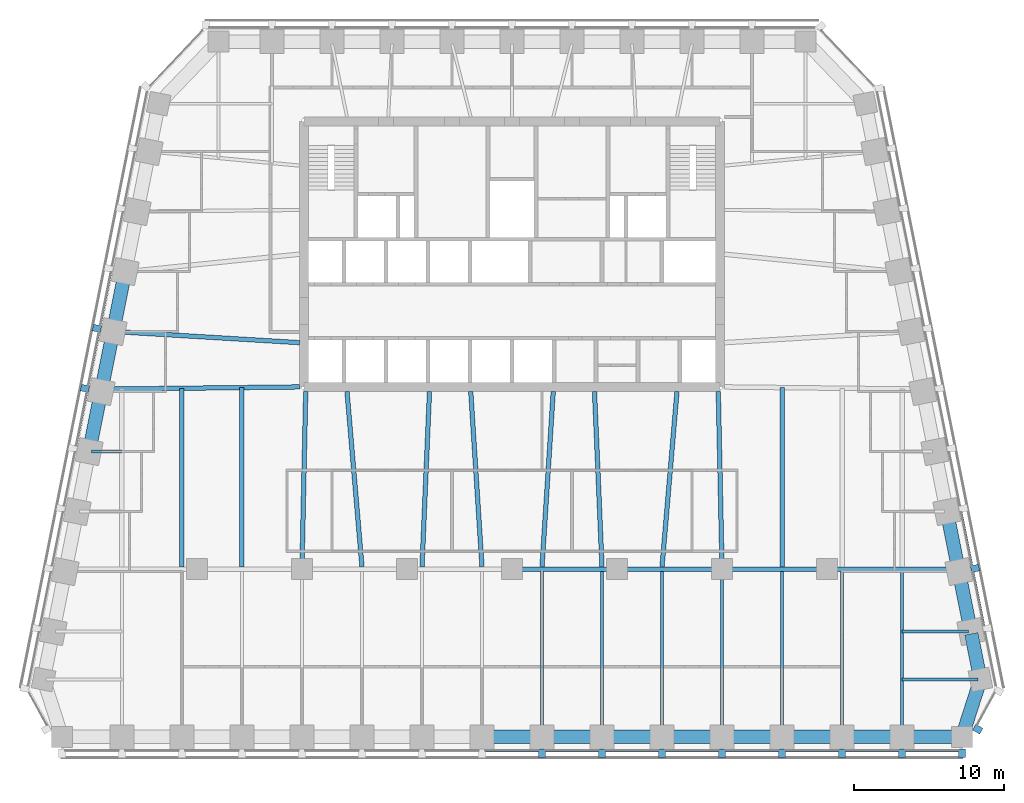
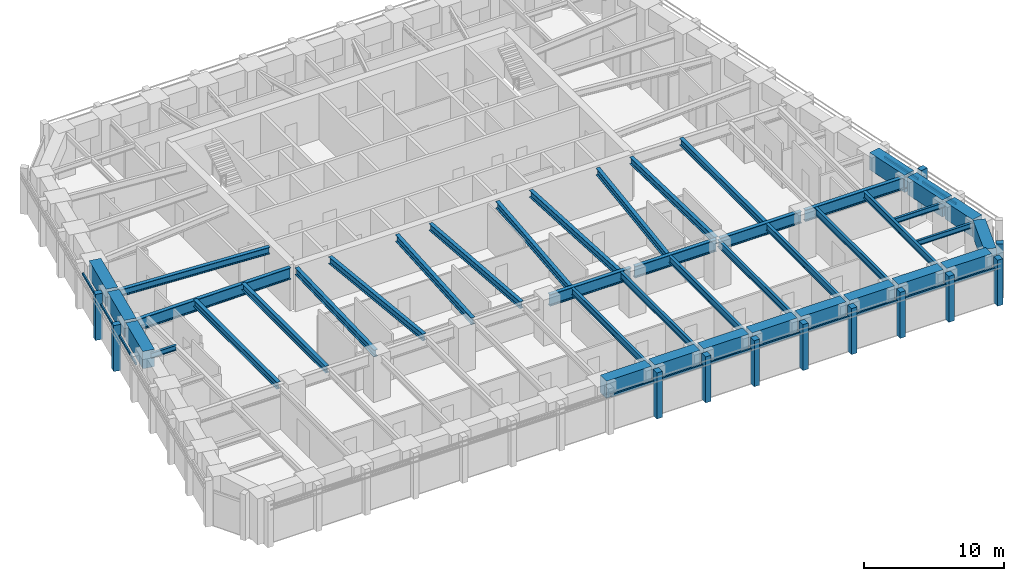
# One storey, part 2 of 11: 42 beams, 25 members, 4 elements without a shape of their own.
"""IFC4 building model written with IfcOpenShell, lengths in metres."""

from ifc_helpers import new_model, si_unit, direction, frame, origin, origin_2d, place, context, subcontext, project, spatial, rectangle, i_section, extrude, material, material_profile, profile_set, type_object, element, aggregate, save


model = new_model("IFC4")

# Units and contexts
model_context = context("Model", 3, precision=1e-05, world=origin(), true_north=direction((0.0, 1.0)))
body_context = subcontext(model_context, "Body", "Model", "MODEL_VIEW")
ifc_project = project(units=[si_unit("LENGTHUNIT", "METRE"), si_unit("AREAUNIT", "SQUARE_METRE"), si_unit("VOLUMEUNIT", "CUBIC_METRE"), si_unit("PLANEANGLEUNIT", "RADIAN"), si_unit("MASSUNIT", "GRAM", prefix="KILO")], contexts=[model_context])

# Site, building, storey
site_placement = place(None, origin())
site = spatial("IfcSite", under=ifc_project, at=site_placement, CompositionType="ELEMENT")
building_placement = place(site_placement, origin())
building = spatial("IfcBuilding", under=site, at=building_placement, Name="Isbrekke Arena Tower", CompositionType="ELEMENT")
storey_placement = place(building_placement, frame((0.0, 0.0, 206.0)))
storey = spatial("IfcBuildingStorey", under=building, at=storey_placement, Name="L47", CompositionType="ELEMENT", Elevation=206.0)

# Beams
ifc_material_1 = material(Name="Steel S355", Category="steel")
ifc_material_profile_1 = material_profile(ifc_material_1, i_section(OverallWidth=0.219970703125, OverallDepth=0.60009765625, WebThickness=0.011962890625, FlangeThickness=0.01904296875, FilletRadius=0.02392578125, at=origin_2d()), Name="IPE 600")
ifc_profile_set_1 = profile_set([ifc_material_profile_1], Name="Steel S355")
beam_type_1 = type_object("IfcBeamType", Name="B1 IPE 600", PredefinedType="BEAM", material=ifc_profile_set_1)
for number, where, z_axis, x_axis, name in (
    (1, (2.0, -17.02490234375, 3.550048828125), (0.0, 1.0, 0.0), (-1.0, 0.0, 0.0), "B1 beam S-S09 L47"),
    (2, (6.0, -17.02490234375, 3.550048828125), (0.0, 1.0, 0.0), (-1.0, 0.0, 0.0), "B1 beam S-S10 L47"),
    (3, (10.0, -17.02490234375, 3.550048828125), (0.0, 1.0, 0.0), (-1.0, 0.0, 0.0), "B1 beam S-S11 L47"),
):
    element("IfcBeam", number, at=place(storey_placement, frame(where, z_axis=z_axis, x_axis=x_axis)), inside=storey, type_object=beam_type_1, Name=name, PredefinedType="BEAM", context=body_context, shape_type="SweptSolid", body=[
        extrude(i_section(OverallWidth=0.219970703125, OverallDepth=0.60009765625, WebThickness=0.011962890625, FlangeThickness=0.01904296875, FilletRadius=0.02392578125, at=origin_2d()), origin(), (0.0, 0.0, 1.0), 10.8740234375),
    ])
beam_1_placement = place(storey_placement, frame((14.0, -17.02490234375, 3.550048828125), z_axis=(0.0, 1.0, 0.0), x_axis=(-1.0, 0.0, 0.0)))
element("IfcBeam", 4, at=beam_1_placement, inside=storey, type_object=beam_type_1, Name="B1 beam S-S12 L47", PredefinedType="BEAM", context=body_context, shape_type="SweptSolid", body=[
    extrude(i_section(OverallWidth=0.219970703125, OverallDepth=0.60009765625, WebThickness=0.011962890625, FlangeThickness=0.01904296875, FilletRadius=0.02392578125, at=origin_2d()), origin(), (0.0, 0.0, 1.0), 10.875),
])
for number, where, z_axis, x_axis, name in (
    (5, (18.0, -17.02490234375, 3.550048828125), (0.0, 1.0, 0.0), (-1.0, 0.0, 0.0), "B1 beam S-S13 L47"),
    (6, (22.0, -17.02490234375, 3.550048828125), (0.0, 1.0, 0.0), (-1.0, 0.0, 0.0), "B1 beam S-S14 L47"),
    (7, (26.0, -17.02490234375, 3.550048828125), (0.0, 1.0, 0.0), (-1.0, 0.0, 0.0), "B1 beam S-S15 L47"),
):
    element("IfcBeam", number, at=place(storey_placement, frame(where, z_axis=z_axis, x_axis=x_axis)), inside=storey, type_object=beam_type_1, Name=name, PredefinedType="BEAM", context=body_context, shape_type="SweptSolid", body=[
        extrude(i_section(OverallWidth=0.219970703125, OverallDepth=0.60009765625, WebThickness=0.011962890625, FlangeThickness=0.01904296875, FilletRadius=0.02392578125, at=origin_2d()), origin(), (0.0, 0.0, 1.0), 10.8740234375),
    ])
ifc_material_2 = material(Name="Steel S355", Category="steel")
ifc_material_profile_2 = material_profile(ifc_material_2, i_section(OverallWidth=0.18994140625, OverallDepth=0.449951171875, WebThickness=0.009521484375, FlangeThickness=0.0146484375, FilletRadius=0.02099609375, at=origin_2d()), Name="IPE 450")
ifc_profile_set_2 = profile_set([ifc_material_profile_2], Name="Steel S355")
beam_type_2 = type_object("IfcBeamType", Name="B2 IPE 450", PredefinedType="BEAM", material=ifc_profile_set_2)
beam_2_placement = place(storey_placement, frame((31.079345703125, -13.352783203125, 3.625), z_axis=(-1.0, 0.0, 0.0), x_axis=(0.0, -1.0, 0.0)))
element("IfcBeam", 8, at=beam_2_placement, inside=storey, type_object=beam_type_2, Name="B2 beam E-E01 L47", PredefinedType="BEAM", context=body_context, shape_type="SweptSolid", body=[
    extrude(i_section(OverallWidth=0.18994140625, OverallDepth=0.449951171875, WebThickness=0.009521484375, FlangeThickness=0.0146484375, FilletRadius=0.02099609375, at=origin_2d()), origin(), (0.0, 0.0, 1.0), 5.079345703125),
])
beam_3_placement = place(storey_placement, frame((30.44091796875, -10.161865234375, 3.625), z_axis=(-1.0, 0.0, 0.0), x_axis=(0.0, -1.0, 0.0)))
element("IfcBeam", 9, at=beam_3_placement, inside=storey, type_object=beam_type_2, Name="B2 beam E-E02 L47", PredefinedType="BEAM", context=body_context, shape_type="SweptSolid", body=[
    extrude(i_section(OverallWidth=0.18994140625, OverallDepth=0.449951171875, WebThickness=0.009521484375, FlangeThickness=0.0146484375, FilletRadius=0.02099609375, at=origin_2d()), origin(), (0.0, 0.0, 1.0), 4.44091796875),
])
beam_4_placement = place(storey_placement, frame((-28.041015625, 1.838134765625, 3.625), z_axis=(1.0, 0.0, 0.0), x_axis=(0.0, 1.0, 0.0)))
element("IfcBeam", 10, at=beam_4_placement, inside=storey, type_object=beam_type_2, Name="B2 beam E-W07 L47", PredefinedType="BEAM", context=body_context, shape_type="SweptSolid", body=[
    extrude(i_section(OverallWidth=0.18994140625, OverallDepth=0.449951171875, WebThickness=0.009521484375, FlangeThickness=0.0146484375, FilletRadius=0.02099609375, at=origin_2d()), origin(), (0.0, 0.0, 1.0), 2.041015625),
])
ifc_material_3 = material(Name="Steel S355", Category="steel")
ifc_material_profile_3 = material_profile(ifc_material_3, i_section(OverallWidth=0.300048828125, OverallDepth=0.60009765625, WebThickness=0.015380859375, FlangeThickness=0.030029296875, FilletRadius=0.027099609375, at=origin_2d()), Name="HEB 600")
ifc_profile_set_3 = profile_set([ifc_material_profile_3], Name="Steel S355")
beam_type_3 = type_object("IfcBeamType", Name="B7 HEB 600", PredefinedType="BEAM", material=ifc_profile_set_3)
beam_5_placement = place(storey_placement, frame((-22.0, -5.84912109375, 3.550048828125), z_axis=(0.0, 1.0, 0.0), x_axis=(-1.0, 0.0, 0.0)))
element("IfcBeam", 11, at=beam_5_placement, inside=storey, type_object=beam_type_3, Name="B7 beam C-M02 L47", PredefinedType="BEAM", context=body_context, shape_type="SweptSolid", body=[
    extrude(i_section(OverallWidth=0.300048828125, OverallDepth=0.60009765625, WebThickness=0.015380859375, FlangeThickness=0.030029296875, FilletRadius=0.027099609375, at=origin_2d()), origin(), (0.0, 0.0, 1.0), 11.91015625),
])
beam_6_placement = place(storey_placement, frame((-18.0, -5.84912109375, 3.550048828125), z_axis=(0.0, 1.0, 0.0), x_axis=(-1.0, 0.0, 0.0)))
element("IfcBeam", 12, at=beam_6_placement, inside=storey, type_object=beam_type_3, Name="B7 beam C-M03 L47", PredefinedType="BEAM", context=body_context, shape_type="SweptSolid", body=[
    extrude(i_section(OverallWidth=0.300048828125, OverallDepth=0.60009765625, WebThickness=0.015380859375, FlangeThickness=0.030029296875, FilletRadius=0.027099609375, at=origin_2d()), origin(), (0.0, 0.0, 1.0), 11.95556640625),
])
beam_7_placement = place(storey_placement, frame((-14.0, -5.8466796875, 3.550048828125), z_axis=(0.021368528218, 0.999771666933, 0.0), x_axis=(-0.999771666933, 0.021368528218, 0.0)))
element("IfcBeam", 13, at=beam_7_placement, inside=storey, type_object=beam_type_3, Name="B7 beam C-M04 L47", PredefinedType="BEAM", context=body_context, shape_type="SweptSolid", body=[
    extrude(i_section(OverallWidth=0.300048828125, OverallDepth=0.60009765625, WebThickness=0.015380859375, FlangeThickness=0.030029296875, FilletRadius=0.027099609375, at=origin_2d()), origin(), (0.0, 0.0, 1.0), 11.699462890625),
])
beam_8_placement = place(storey_placement, frame((-10.0009765625, -5.836181640625, 3.550048828125), z_axis=(-0.085176202372, 0.996365903948, 0.0), x_axis=(-0.996365903948, -0.085176202372, 0.0)))
element("IfcBeam", 14, at=beam_8_placement, inside=storey, type_object=beam_type_3, Name="B7 beam C-M05 L47", PredefinedType="BEAM", context=body_context, shape_type="SweptSolid", body=[
    extrude(i_section(OverallWidth=0.300048828125, OverallDepth=0.60009765625, WebThickness=0.015380859375, FlangeThickness=0.030029296875, FilletRadius=0.027099609375, at=origin_2d()), origin(), (0.0, 0.0, 1.0), 11.72900390625),
])
beam_9_placement = place(storey_placement, frame((-5.999755859375, -5.842529296875, 3.550048828125), z_axis=(0.042702124015, 0.999087848292, 0.0), x_axis=(-0.999087848292, 0.042702124015, 0.0)))
element("IfcBeam", 15, at=beam_9_placement, inside=storey, type_object=beam_type_3, Name="B7 beam C-M06 L47", PredefinedType="BEAM", context=body_context, shape_type="SweptSolid", body=[
    extrude(i_section(OverallWidth=0.300048828125, OverallDepth=0.60009765625, WebThickness=0.015380859375, FlangeThickness=0.030029296875, FilletRadius=0.027099609375, at=origin_2d()), origin(), (0.0, 0.0, 1.0), 11.703369140625),
])
for number, where, z_axis, x_axis, name in (
    (16, (-2.000732421875, -5.83935546875, 3.550048828125), (-0.063966475255, 0.997952047968, 0.0), (-0.997952047968, -0.063966475255, 0.0), "B7 beam C-M07 L47"),
    (17, (2.000732421875, -5.83935546875, 3.550048828125), (0.063966475255, 0.997952047968, 0.0), (-0.997952047968, 0.063966475255, 0.0), "B7 beam C-M08 L47"),
):
    element("IfcBeam", number, at=place(storey_placement, frame(where, z_axis=z_axis, x_axis=x_axis)), inside=storey, type_object=beam_type_3, Name=name, PredefinedType="BEAM", context=body_context, shape_type="SweptSolid", body=[
        extrude(i_section(OverallWidth=0.300048828125, OverallDepth=0.60009765625, WebThickness=0.015380859375, FlangeThickness=0.030029296875, FilletRadius=0.027099609375, at=origin_2d()), origin(), (0.0, 0.0, 1.0), 11.71337890625),
    ])
beam_10_placement = place(storey_placement, frame((5.999755859375, -5.842529296875, 3.550048828125), z_axis=(-0.042702124015, 0.999087848292, 0.0), x_axis=(-0.999087848292, -0.042702124015, 0.0)))
element("IfcBeam", 18, at=beam_10_placement, inside=storey, type_object=beam_type_3, Name="B7 beam C-M09 L47", PredefinedType="BEAM", context=body_context, shape_type="SweptSolid", body=[
    extrude(i_section(OverallWidth=0.300048828125, OverallDepth=0.60009765625, WebThickness=0.015380859375, FlangeThickness=0.030029296875, FilletRadius=0.027099609375, at=origin_2d()), origin(), (0.0, 0.0, 1.0), 11.703369140625),
])
beam_11_placement = place(storey_placement, frame((10.0009765625, -5.836181640625, 3.550048828125), z_axis=(0.085176202372, 0.996365903948, 0.0), x_axis=(-0.996365903948, 0.085176202372, 0.0)))
element("IfcBeam", 19, at=beam_11_placement, inside=storey, type_object=beam_type_3, Name="B7 beam C-M10 L47", PredefinedType="BEAM", context=body_context, shape_type="SweptSolid", body=[
    extrude(i_section(OverallWidth=0.300048828125, OverallDepth=0.60009765625, WebThickness=0.015380859375, FlangeThickness=0.030029296875, FilletRadius=0.027099609375, at=origin_2d()), origin(), (0.0, 0.0, 1.0), 11.72900390625),
])
beam_12_placement = place(storey_placement, frame((14.0, -5.8466796875, 3.550048828125), z_axis=(-0.021368528218, 0.999771666933, 0.0), x_axis=(-0.999771666933, -0.021368528218, 0.0)))
element("IfcBeam", 20, at=beam_12_placement, inside=storey, type_object=beam_type_3, Name="B7 beam C-M11 L47", PredefinedType="BEAM", context=body_context, shape_type="SweptSolid", body=[
    extrude(i_section(OverallWidth=0.300048828125, OverallDepth=0.60009765625, WebThickness=0.015380859375, FlangeThickness=0.030029296875, FilletRadius=0.027099609375, at=origin_2d()), origin(), (0.0, 0.0, 1.0), 11.699462890625),
])
beam_13_placement = place(storey_placement, frame((18.0, -5.84912109375, 3.550048828125), z_axis=(0.0, 1.0, 0.0), x_axis=(-1.0, 0.0, 0.0)))
element("IfcBeam", 21, at=beam_13_placement, inside=storey, type_object=beam_type_3, Name="B7 beam C-M12 L47", PredefinedType="BEAM", context=body_context, shape_type="SweptSolid", body=[
    extrude(i_section(OverallWidth=0.300048828125, OverallDepth=0.60009765625, WebThickness=0.015380859375, FlangeThickness=0.030029296875, FilletRadius=0.027099609375, at=origin_2d()), origin(), (0.0, 0.0, 1.0), 11.95556640625),
])
beam_14_placement = place(storey_placement, frame((-26.43212890625, 9.837646484375, 3.550048828125), z_axis=(0.998201854902, -0.059942112659, 0.0), x_axis=(0.059942112659, 0.998201854902, 0.0)))
element("IfcBeam", 22, at=beam_14_placement, inside=storey, type_object=beam_type_3, Name="B7 beam E-W05 L47", PredefinedType="BEAM", context=body_context, shape_type="SweptSolid", body=[
    extrude(i_section(OverallWidth=0.300048828125, OverallDepth=0.60009765625, WebThickness=0.015380859375, FlangeThickness=0.030029296875, FilletRadius=0.027099609375, at=origin_2d()), origin(), (0.0, 0.0, 1.0), 12.304443359375),
])

# Curtain wall, members
ifc_material_4 = material(Name="Glazed aluminium curtain wall", Category="aluminium")
curtain_wall_type = type_object("IfcCurtainWallType", Name="CWH TOWER CURTAIN WALL HIGH ZONE", PredefinedType="USERDEFINED", material=ifc_material_4)
curtain_wall_1_placement = place(storey_placement, origin())
curtain_wall_1 = element("IfcCurtainWall", 23, at=curtain_wall_1_placement, inside=storey, type_object=curtain_wall_type, Name="CWH curtain wall L47-S", ObjectType="TOWER CURTAIN WALL HIGH ZONE", PredefinedType="USERDEFINED")
ifc_material_5 = material(Name="Aluminium mullion, pale brick slip cladding", Category="masonry")
ifc_material_profile_4 = material_profile(ifc_material_5, rectangle(XDim=0.449951171875, YDim=0.550048828125, at=origin_2d()), Name="PIER 450X550")
ifc_profile_set_4 = profile_set([ifc_material_profile_4], Name="Aluminium mullion, pale brick slip cladding")
member_type_1 = type_object("IfcMemberType", Name="CWH-M PIER MULLION 450 x 550", PredefinedType="MULLION", material=ifc_profile_set_4)
member_1_placement = place(storey_placement, frame((2.0, -18.27490234375, 0.0), z_axis=(0.0, 0.0, 1.0), x_axis=(1.0, 0.0, 0.0)))
member_1 = element("IfcMember", 24, at=member_1_placement, type_object=member_type_1, Name="CWH-M mullion 9", PredefinedType="MULLION", context=body_context, shape_type="SweptSolid", body=[
    extrude(rectangle(XDim=0.449951171875, YDim=0.550048828125, at=origin_2d()), origin(), (0.0, 0.0, 1.0), 4.0),
])
member_2_placement = place(storey_placement, frame((6.0, -18.27490234375, 0.0), z_axis=(0.0, 0.0, 1.0), x_axis=(1.0, 0.0, 0.0)))
member_2 = element("IfcMember", 25, at=member_2_placement, type_object=member_type_1, Name="CWH-M mullion 10", PredefinedType="MULLION", context=body_context, shape_type="SweptSolid", body=[
    extrude(rectangle(XDim=0.449951171875, YDim=0.550048828125, at=origin_2d()), origin(), (0.0, 0.0, 1.0), 4.0),
])
member_3_placement = place(storey_placement, frame((10.0, -18.27490234375, 0.0), z_axis=(0.0, 0.0, 1.0), x_axis=(1.0, 0.0, 0.0)))
member_3 = element("IfcMember", 26, at=member_3_placement, type_object=member_type_1, Name="CWH-M mullion 11", PredefinedType="MULLION", context=body_context, shape_type="SweptSolid", body=[
    extrude(rectangle(XDim=0.449951171875, YDim=0.550048828125, at=origin_2d()), origin(), (0.0, 0.0, 1.0), 4.0),
])
member_4_placement = place(storey_placement, frame((14.0, -18.27490234375, 0.0), z_axis=(0.0, 0.0, 1.0), x_axis=(1.0, 0.0, 0.0)))
member_4 = element("IfcMember", 27, at=member_4_placement, type_object=member_type_1, Name="CWH-M mullion 12", PredefinedType="MULLION", context=body_context, shape_type="SweptSolid", body=[
    extrude(rectangle(XDim=0.449951171875, YDim=0.550048828125, at=origin_2d()), origin(), (0.0, 0.0, 1.0), 4.0),
])
member_5_placement = place(storey_placement, frame((18.0, -18.27490234375, 0.0), z_axis=(0.0, 0.0, 1.0), x_axis=(1.0, 0.0, 0.0)))
member_5 = element("IfcMember", 28, at=member_5_placement, type_object=member_type_1, Name="CWH-M mullion 13", PredefinedType="MULLION", context=body_context, shape_type="SweptSolid", body=[
    extrude(rectangle(XDim=0.449951171875, YDim=0.550048828125, at=origin_2d()), origin(), (0.0, 0.0, 1.0), 4.0),
])
member_6_placement = place(storey_placement, frame((22.0, -18.27490234375, 0.0), z_axis=(0.0, 0.0, 1.0), x_axis=(1.0, 0.0, 0.0)))
member_6 = element("IfcMember", 29, at=member_6_placement, type_object=member_type_1, Name="CWH-M mullion 14", PredefinedType="MULLION", context=body_context, shape_type="SweptSolid", body=[
    extrude(rectangle(XDim=0.449951171875, YDim=0.550048828125, at=origin_2d()), origin(), (0.0, 0.0, 1.0), 4.0),
])
member_7_placement = place(storey_placement, frame((26.0, -18.27490234375, 0.0), z_axis=(0.0, 0.0, 1.0), x_axis=(1.0, 0.0, 0.0)))
member_7 = element("IfcMember", 30, at=member_7_placement, type_object=member_type_1, Name="CWH-M mullion 15", PredefinedType="MULLION", context=body_context, shape_type="SweptSolid", body=[
    extrude(rectangle(XDim=0.449951171875, YDim=0.550048828125, at=origin_2d()), origin(), (0.0, 0.0, 1.0), 4.0),
])
member_8_placement = place(storey_placement, frame((30.0, -18.27490234375, 0.0), z_axis=(0.0, 0.0, 1.0), x_axis=(1.0, 0.0, 0.0)))
member_8 = element("IfcMember", 31, at=member_8_placement, type_object=member_type_1, Name="CWH-M mullion 16", PredefinedType="MULLION", context=body_context, shape_type="SweptSolid", body=[
    extrude(rectangle(XDim=0.449951171875, YDim=0.550048828125, at=origin_2d()), origin(), (0.0, 0.0, 1.0), 4.0),
])

# Curtain wall, member
curtain_wall_2_placement = place(storey_placement, origin())
curtain_wall_2 = element("IfcCurtainWall", 32, at=curtain_wall_2_placement, inside=storey, type_object=curtain_wall_type, Name="CWH curtain wall L47-SE", ObjectType="TOWER CURTAIN WALL HIGH ZONE", PredefinedType="USERDEFINED")
member_9_placement = place(storey_placement, frame((31.047119140625, -16.666748046875, 0.0), z_axis=(0.0, 0.0, 1.0), x_axis=(0.481918749773, 0.876215908676, 0.0)))
member_9 = element("IfcMember", 33, at=member_9_placement, type_object=member_type_1, Name="CWH-M mullion 1", PredefinedType="MULLION", context=body_context, shape_type="SweptSolid", body=[
    extrude(rectangle(XDim=0.449951171875, YDim=0.550048828125, at=origin_2d()), origin(), (0.0, 0.0, 1.0), 4.0),
])
aggregate(curtain_wall_2, [member_9])

curtain_wall_3_placement = place(storey_placement, origin())
curtain_wall_3 = element("IfcCurtainWall", 34, at=curtain_wall_3_placement, inside=storey, type_object=curtain_wall_type, Name="CWH curtain wall L47-E", ObjectType="TOWER CURTAIN WALL HIGH ZONE", PredefinedType="USERDEFINED")
member_10_placement = place(storey_placement, frame((30.86962890625, -5.946044921875, 0.0), z_axis=(0.0, 0.0, 1.0), x_axis=(-0.196116135138, 0.980580675691, 0.0)))
member_10 = element("IfcMember", 35, at=member_10_placement, type_object=member_type_1, Name="CWH-M mullion 2", PredefinedType="MULLION", context=body_context, shape_type="SweptSolid", body=[
    extrude(rectangle(XDim=0.449951171875, YDim=0.550048828125, at=origin_2d()), origin(), (0.0, 0.0, 1.0), 4.0),
])

# Curtain wall, members
curtain_wall_4_placement = place(storey_placement, origin())
curtain_wall_4 = element("IfcCurtainWall", 36, at=curtain_wall_4_placement, inside=storey, type_object=curtain_wall_type, Name="CWH curtain wall L47-W", ObjectType="TOWER CURTAIN WALL HIGH ZONE", PredefinedType="USERDEFINED")
member_11_placement = place(storey_placement, frame((-27.669677734375, 10.053955078125, 0.0), z_axis=(0.0, 0.0, 1.0), x_axis=(-0.196116135138, -0.980580675691, 0.0)))
member_11 = element("IfcMember", 37, at=member_11_placement, type_object=member_type_1, Name="CWH-M mullion 4", PredefinedType="MULLION", context=body_context, shape_type="SweptSolid", body=[
    extrude(rectangle(XDim=0.449951171875, YDim=0.550048828125, at=origin_2d()), origin(), (0.0, 0.0, 1.0), 4.0),
])
member_12_placement = place(storey_placement, frame((-28.4697265625, 6.053955078125, 0.0), z_axis=(0.0, 0.0, 1.0), x_axis=(-0.196116135138, -0.980580675691, 0.0)))
member_12 = element("IfcMember", 38, at=member_12_placement, type_object=member_type_1, Name="CWH-M mullion 5", PredefinedType="MULLION", context=body_context, shape_type="SweptSolid", body=[
    extrude(rectangle(XDim=0.449951171875, YDim=0.550048828125, at=origin_2d()), origin(), (0.0, 0.0, 1.0), 4.0),
])

# Member
ifc_material_6 = material(Name="Aluminium transom", Category="aluminium")
ifc_material_profile_5 = material_profile(ifc_material_6, rectangle(XDim=0.1201171875, YDim=0.199951171875, at=origin_2d()), Name="TRANSOM 120X200")
ifc_profile_set_5 = profile_set([ifc_material_profile_5], Name="Aluminium transom")
member_type_2 = type_object("IfcMemberType", Name="CWH-T TRANSOM 120 x 200", PredefinedType="USERDEFINED", material=ifc_profile_set_5)
member_13_placement = place(storey_placement, frame((-1.77490234375, -18.10009765625, 3.0), z_axis=(1.0, 0.0, 0.0), x_axis=(0.0, 1.0, 0.0)))
member_13 = element("IfcMember", 39, at=member_13_placement, type_object=member_type_2, Name="CWH-T transom 8", ObjectType="TRANSOM", PredefinedType="USERDEFINED", context=body_context, shape_type="SweptSolid", body=[
    extrude(rectangle(XDim=0.1201171875, YDim=0.199951171875, at=origin_2d()), origin(), (0.0, 0.0, 1.0), 3.5498046875),
])

member_14_placement = place(storey_placement, frame((2.22509765625, -18.10009765625, 3.0), z_axis=(1.0, 0.0, 0.0), x_axis=(0.0, 1.0, 0.0)))
member_14 = element("IfcMember", 40, at=member_14_placement, type_object=member_type_2, Name="CWH-T transom 9", ObjectType="TRANSOM", PredefinedType="USERDEFINED", context=body_context, shape_type="SweptSolid", body=[
    extrude(rectangle(XDim=0.1201171875, YDim=0.199951171875, at=origin_2d()), origin(), (0.0, 0.0, 1.0), 3.5498046875),
])

member_15_placement = place(storey_placement, frame((6.22509765625, -18.10009765625, 3.0), z_axis=(1.0, 0.0, 0.0), x_axis=(0.0, 1.0, 0.0)))
member_15 = element("IfcMember", 41, at=member_15_placement, type_object=member_type_2, Name="CWH-T transom 10", ObjectType="TRANSOM", PredefinedType="USERDEFINED", context=body_context, shape_type="SweptSolid", body=[
    extrude(rectangle(XDim=0.1201171875, YDim=0.199951171875, at=origin_2d()), origin(), (0.0, 0.0, 1.0), 3.5498046875),
])

member_16_placement = place(storey_placement, frame((10.22509765625, -18.10009765625, 3.0), z_axis=(1.0, 0.0, 0.0), x_axis=(0.0, 1.0, 0.0)))
member_16 = element("IfcMember", 42, at=member_16_placement, type_object=member_type_2, Name="CWH-T transom 11", ObjectType="TRANSOM", PredefinedType="USERDEFINED", context=body_context, shape_type="SweptSolid", body=[
    extrude(rectangle(XDim=0.1201171875, YDim=0.199951171875, at=origin_2d()), origin(), (0.0, 0.0, 1.0), 3.5498046875),
])

member_17_placement = place(storey_placement, frame((14.22509765625, -18.10009765625, 3.0), z_axis=(1.0, 0.0, 0.0), x_axis=(0.0, 1.0, 0.0)))
member_17 = element("IfcMember", 43, at=member_17_placement, type_object=member_type_2, Name="CWH-T transom 12", ObjectType="TRANSOM", PredefinedType="USERDEFINED", context=body_context, shape_type="SweptSolid", body=[
    extrude(rectangle(XDim=0.1201171875, YDim=0.199951171875, at=origin_2d()), origin(), (0.0, 0.0, 1.0), 3.5498046875),
])

member_18_placement = place(storey_placement, frame((18.22509765625, -18.10009765625, 3.0), z_axis=(1.0, 0.0, 0.0), x_axis=(0.0, 1.0, 0.0)))
member_18 = element("IfcMember", 44, at=member_18_placement, type_object=member_type_2, Name="CWH-T transom 13", ObjectType="TRANSOM", PredefinedType="USERDEFINED", context=body_context, shape_type="SweptSolid", body=[
    extrude(rectangle(XDim=0.1201171875, YDim=0.199951171875, at=origin_2d()), origin(), (0.0, 0.0, 1.0), 3.5498046875),
])

member_19_placement = place(storey_placement, frame((22.22509765625, -18.10009765625, 3.0), z_axis=(1.0, 0.0, 0.0), x_axis=(0.0, 1.0, 0.0)))
member_19 = element("IfcMember", 45, at=member_19_placement, type_object=member_type_2, Name="CWH-T transom 14", ObjectType="TRANSOM", PredefinedType="USERDEFINED", context=body_context, shape_type="SweptSolid", body=[
    extrude(rectangle(XDim=0.1201171875, YDim=0.199951171875, at=origin_2d()), origin(), (0.0, 0.0, 1.0), 3.5498046875),
])

member_20_placement = place(storey_placement, frame((26.22509765625, -18.10009765625, 3.0), z_axis=(1.0, 0.0, 0.0), x_axis=(0.0, 1.0, 0.0)))
member_20 = element("IfcMember", 46, at=member_20_placement, type_object=member_type_2, Name="CWH-T transom 15", ObjectType="TRANSOM", PredefinedType="USERDEFINED", context=body_context, shape_type="SweptSolid", body=[
    extrude(rectangle(XDim=0.1201171875, YDim=0.199951171875, at=origin_2d()), origin(), (0.0, 0.0, 1.0), 3.5498046875),
])

aggregate(curtain_wall_1, [member_1, member_2, member_3, member_4, member_5, member_6, member_7, member_8, member_13, member_14, member_15, member_16, member_17, member_18, member_19, member_20])

member_21_placement = place(storey_placement, frame((31.453857421875, -9.759765625, 3.0), z_axis=(-0.196090262229, 0.980585849918, 0.0), x_axis=(-0.980585849918, -0.196090262229, 0.0)))
member_21 = element("IfcMember", 47, at=member_21_placement, type_object=member_type_2, Name="CWH-T transom 2", ObjectType="TRANSOM", PredefinedType="USERDEFINED", context=body_context, shape_type="SweptSolid", body=[
    extrude(rectangle(XDim=0.1201171875, YDim=0.199951171875, at=origin_2d()), origin(), (0.0, 0.0, 1.0), 3.62939453125),
])

member_22_placement = place(storey_placement, frame((30.654052734375, -5.759765625, 3.0), z_axis=(-0.196154943734, 0.980572913173, 0.0), x_axis=(-0.980572913173, -0.196154943734, 0.0)))
member_22 = element("IfcMember", 48, at=member_22_placement, type_object=member_type_2, Name="CWH-T transom 3", ObjectType="TRANSOM", PredefinedType="USERDEFINED", context=body_context, shape_type="SweptSolid", body=[
    extrude(rectangle(XDim=0.1201171875, YDim=0.199951171875, at=origin_2d()), origin(), (0.0, 0.0, 1.0), 3.62939453125),
])

aggregate(curtain_wall_3, [member_10, member_21, member_22])

member_23_placement = place(storey_placement, frame((-26.7421875, 13.799072265625, 3.0), z_axis=(-0.196090262229, -0.980585849918, 0.0), x_axis=(0.980585849918, -0.196090262229, 0.0)))
member_23 = element("IfcMember", 49, at=member_23_placement, type_object=member_type_2, Name="CWH-T transom 4", ObjectType="TRANSOM", PredefinedType="USERDEFINED", context=body_context, shape_type="SweptSolid", body=[
    extrude(rectangle(XDim=0.1201171875, YDim=0.199951171875, at=origin_2d()), origin(), (0.0, 0.0, 1.0), 3.62939453125),
])

member_24_placement = place(storey_placement, frame((-27.542236328125, 9.799072265625, 3.0), z_axis=(-0.196090262229, -0.980585849918, 0.0), x_axis=(0.980585849918, -0.196090262229, 0.0)))
member_24 = element("IfcMember", 50, at=member_24_placement, type_object=member_type_2, Name="CWH-T transom 5", ObjectType="TRANSOM", PredefinedType="USERDEFINED", context=body_context, shape_type="SweptSolid", body=[
    extrude(rectangle(XDim=0.1201171875, YDim=0.199951171875, at=origin_2d()), origin(), (0.0, 0.0, 1.0), 3.62939453125),
])

member_25_placement = place(storey_placement, frame((-28.34228515625, 5.799072265625, 3.0), z_axis=(-0.196090262229, -0.980585849918, 0.0), x_axis=(0.980585849918, -0.196090262229, 0.0)))
member_25 = element("IfcMember", 51, at=member_25_placement, type_object=member_type_2, Name="CWH-T transom 6", ObjectType="TRANSOM", PredefinedType="USERDEFINED", context=body_context, shape_type="SweptSolid", body=[
    extrude(rectangle(XDim=0.1201171875, YDim=0.199951171875, at=origin_2d()), origin(), (0.0, 0.0, 1.0), 3.62939453125),
])

aggregate(curtain_wall_4, [member_11, member_12, member_23, member_24, member_25])

# Beams
ifc_material_7 = material(Name="Steel S355", Category="steel")
ifc_material_profile_6 = material_profile(ifc_material_7, i_section(OverallWidth=0.302001953125, OverallDepth=1.008056640625, WebThickness=0.02099609375, FlangeThickness=0.0400390625, FilletRadius=0.030029296875, at=origin_2d()), Name="HEM 1000")
ifc_profile_set_6 = profile_set([ifc_material_profile_6], Name="Steel S355")
beam_type_4 = type_object("IfcBeamType", Name="G1 HEM 1000", PredefinedType="BEAM", material=ifc_profile_set_6)
for number, where, z_axis, x_axis, name in (
    (52, (0.14990234375, -6.0, 3.345947265625), (1.0, 0.0, 0.0), (0.0, 1.0, 0.0), "G1 beam G1-05 L47"),
    (53, (7.14990234375, -6.0, 3.345947265625), (1.0, 0.0, 0.0), (0.0, 1.0, 0.0), "G1 beam G1-06 L47"),
    (54, (14.14990234375, -6.0, 3.345947265625), (1.0, 0.0, 0.0), (0.0, 1.0, 0.0), "G1 beam G1-07 L47"),
):
    element("IfcBeam", number, at=place(storey_placement, frame(where, z_axis=z_axis, x_axis=x_axis)), inside=storey, type_object=beam_type_4, Name=name, PredefinedType="BEAM", context=body_context, shape_type="SweptSolid", body=[
        extrude(i_section(OverallWidth=0.302001953125, OverallDepth=1.008056640625, WebThickness=0.02099609375, FlangeThickness=0.0400390625, FilletRadius=0.030029296875, at=origin_2d()), origin(), (0.0, 0.0, 1.0), 6.7001953125),
    ])
beam_15_placement = place(storey_placement, frame((21.14990234375, -6.0, 3.345947265625), z_axis=(1.0, 0.0, 0.0), x_axis=(0.0, 1.0, 0.0)))
element("IfcBeam", 55, at=beam_15_placement, inside=storey, type_object=beam_type_4, Name="G1 beam G1-08 L47", PredefinedType="BEAM", context=body_context, shape_type="SweptSolid", body=[
    extrude(i_section(OverallWidth=0.302001953125, OverallDepth=1.008056640625, WebThickness=0.02099609375, FlangeThickness=0.0400390625, FilletRadius=0.030029296875, at=origin_2d()), origin(), (0.0, 0.0, 1.0), 8.64111328125),
])
ifc_material_8 = material(Name="Steel S355", Category="steel")
ifc_material_profile_7 = material_profile(ifc_material_8, i_section(OverallWidth=0.302001953125, OverallDepth=1.008056640625, WebThickness=0.02099609375, FlangeThickness=0.0400390625, FilletRadius=0.030029296875, at=origin_2d()), Name="HEM 1000")
ifc_profile_set_7 = profile_set([ifc_material_profile_7], Name="Steel S355")
beam_type_5 = type_object("IfcBeamType", Name="G2 HEM 1000", PredefinedType="BEAM", material=ifc_profile_set_7)
beam_16_placement = place(storey_placement, frame((-14.14990234375, 6.14990234375, 3.345947265625), z_axis=(-0.999935908299, -0.011321629528, 0.0), x_axis=(0.011321629528, -0.999935908299, 0.0)))
element("IfcBeam", 56, at=beam_16_placement, inside=storey, type_object=beam_type_5, Name="G2 beam G2-W L47", PredefinedType="BEAM", context=body_context, shape_type="SweptSolid", body=[
    extrude(i_section(OverallWidth=0.302001953125, OverallDepth=1.008056640625, WebThickness=0.02099609375, FlangeThickness=0.0400390625, FilletRadius=0.030029296875, at=origin_2d()), origin(), (0.0, 0.0, 1.0), 13.240234375),
])
ifc_material_9 = material(Name="Concrete B65 (C65/80)", Category="concrete")
ifc_material_profile_8 = material_profile(ifc_material_9, rectangle(XDim=0.89990234375, YDim=1.5, at=origin_2d()), Name="RC 900x1500")
ifc_profile_set_8 = profile_set([ifc_material_profile_8], Name="Concrete B65 (C65/80)")
beam_type_6 = type_object("IfcBeamType", Name="SB3 RC 900 x 1500", PredefinedType="SPANDREL", material=ifc_profile_set_8)
for number, where, z_axis, x_axis, name in (
    (57, (-1.85009765625, -17.175048828125, 3.25), (1.0, 0.0, 0.0), (0.0, 1.0, 0.0), "SB3 spandrel S08-S09 L47"),
    (58, (2.14990234375, -17.175048828125, 3.25), (1.0, 0.0, 0.0), (0.0, 1.0, 0.0), "SB3 spandrel S09-S10 L47"),
    (59, (6.14990234375, -17.175048828125, 3.25), (1.0, 0.0, 0.0), (0.0, 1.0, 0.0), "SB3 spandrel S10-S11 L47"),
    (60, (10.14990234375, -17.175048828125, 3.25), (1.0, 0.0, 0.0), (0.0, 1.0, 0.0), "SB3 spandrel S11-S12 L47"),
    (61, (14.14990234375, -17.175048828125, 3.25), (1.0, 0.0, 0.0), (0.0, 1.0, 0.0), "SB3 spandrel S12-S13 L47"),
    (62, (18.14990234375, -17.175048828125, 3.25), (1.0, 0.0, 0.0), (0.0, 1.0, 0.0), "SB3 spandrel S13-S14 L47"),
    (63, (22.14990234375, -17.175048828125, 3.25), (1.0, 0.0, 0.0), (0.0, 1.0, 0.0), "SB3 spandrel S14-S15 L47"),
    (64, (26.14990234375, -17.175048828125, 3.25), (1.0, 0.0, 0.0), (0.0, 1.0, 0.0), "SB3 spandrel S15-S16 L47"),
):
    element("IfcBeam", number, at=place(storey_placement, frame(where, z_axis=z_axis, x_axis=x_axis)), inside=storey, type_object=beam_type_6, Name=name, PredefinedType="SPANDREL", context=body_context, shape_type="SweptSolid", body=[
        extrude(rectangle(XDim=0.89990234375, YDim=1.5, at=origin_2d()), origin(), (0.0, 0.0, 1.0), 3.7001953125),
    ])
beam_17_placement = place(storey_placement, frame((30.0458984375, -17.0322265625, 3.25), z_axis=(0.306175101476, 0.951975213562, 0.0), x_axis=(-0.951975213562, 0.306175101476, 0.0)))
element("IfcBeam", 65, at=beam_17_placement, inside=storey, type_object=beam_type_6, Name="SB3 spandrel S16-E01 L47", PredefinedType="SPANDREL", context=body_context, shape_type="SweptSolid", body=[
    extrude(rectangle(XDim=0.89990234375, YDim=1.5, at=origin_2d()), origin(), (0.0, 0.0, 1.0), 3.715087890625),
])
beam_18_placement = place(storey_placement, frame((31.19970703125, -13.205810546875, 3.25), z_axis=(-0.196100243168, 0.980583853951, 0.0), x_axis=(-0.980583853951, -0.196100243168, 0.0)))
element("IfcBeam", 66, at=beam_18_placement, inside=storey, type_object=beam_type_6, Name="SB3 spandrel E01-E02 L47", PredefinedType="SPANDREL", context=body_context, shape_type="SweptSolid", body=[
    extrude(rectangle(XDim=0.89990234375, YDim=1.5, at=origin_2d()), origin(), (0.0, 0.0, 1.0), 2.954345703125),
])
beam_19_placement = place(storey_placement, frame((30.5615234375, -10.0146484375, 3.25), z_axis=(-0.1960664412, 0.980590613169, 0.0), x_axis=(-0.980590613169, -0.1960664412, 0.0)))
element("IfcBeam", 67, at=beam_19_placement, inside=storey, type_object=beam_type_6, Name="SB3 spandrel E02-E03 L47", PredefinedType="SPANDREL", context=body_context, shape_type="SweptSolid", body=[
    extrude(rectangle(XDim=0.89990234375, YDim=1.5, at=origin_2d()), origin(), (0.0, 0.0, 1.0), 3.779052734375),
])
beam_20_placement = place(storey_placement, frame((29.76171875, -6.0146484375, 3.25), z_axis=(-0.196128558387, 0.980578190959, 0.0), x_axis=(-0.980578190959, -0.196128558387, 0.0)))
element("IfcBeam", 68, at=beam_20_placement, inside=storey, type_object=beam_type_6, Name="SB3 spandrel E03-E04 L47", PredefinedType="SPANDREL", context=body_context, shape_type="SweptSolid", body=[
    extrude(rectangle(XDim=0.89990234375, YDim=1.5, at=origin_2d()), origin(), (0.0, 0.0, 1.0), 3.779296875),
])
beam_21_placement = place(storey_placement, frame((-25.820556640625, 13.691162109375, 3.25), z_axis=(-0.1960664412, -0.980590613169, 0.0), x_axis=(0.980590613169, -0.1960664412, 0.0)))
element("IfcBeam", 69, at=beam_21_placement, inside=storey, type_object=beam_type_6, Name="SB3 spandrel W04-W05 L47", PredefinedType="SPANDREL", context=body_context, shape_type="SweptSolid", body=[
    extrude(rectangle(XDim=0.89990234375, YDim=1.5, at=origin_2d()), origin(), (0.0, 0.0, 1.0), 3.779052734375),
])
for number, where, z_axis, x_axis, name in (
    (70, (-26.620361328125, 9.691162109375, 3.25), (-0.196128558387, -0.980578190959, 0.0), (0.980578190959, -0.196128558387, 0.0), "SB3 spandrel W05-W06 L47"),
    (71, (-27.42041015625, 5.691162109375, 3.25), (-0.196128558387, -0.980578190959, 0.0), (0.980578190959, -0.196128558387, 0.0), "SB3 spandrel W06-W07 L47"),
):
    element("IfcBeam", number, at=place(storey_placement, frame(where, z_axis=z_axis, x_axis=x_axis)), inside=storey, type_object=beam_type_6, Name=name, PredefinedType="SPANDREL", context=body_context, shape_type="SweptSolid", body=[
        extrude(rectangle(XDim=0.89990234375, YDim=1.5, at=origin_2d()), origin(), (0.0, 0.0, 1.0), 3.779296875),
    ])

save(model, "model.ifc")
